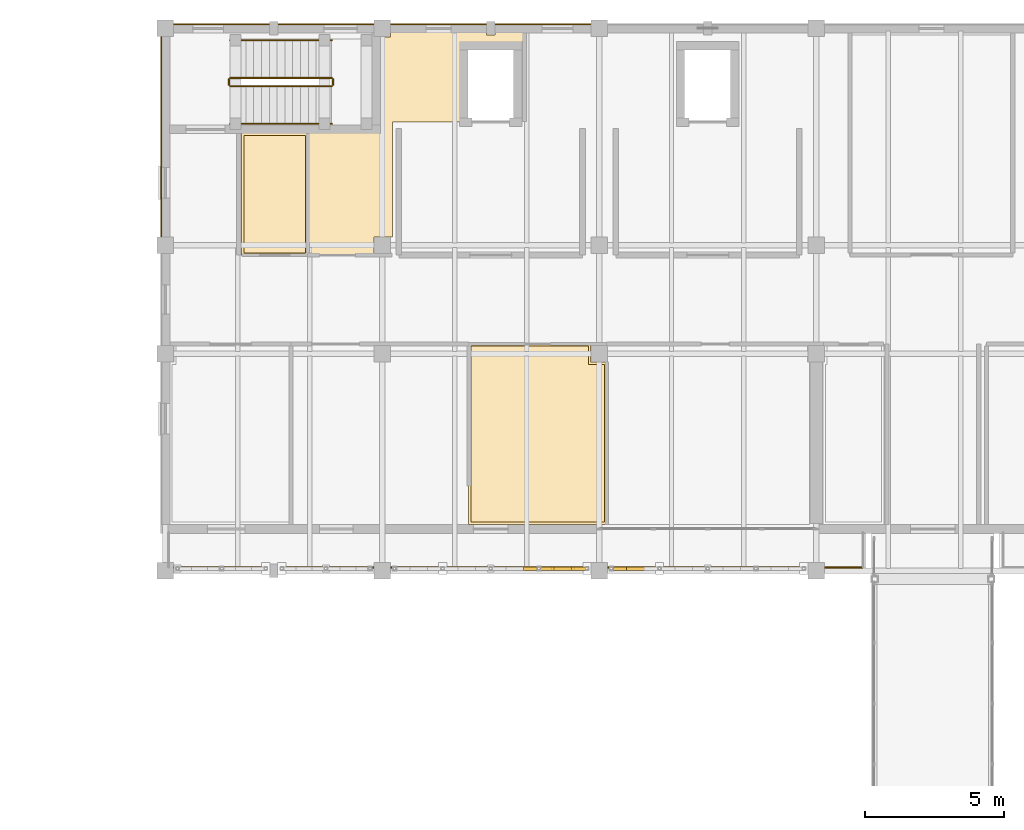
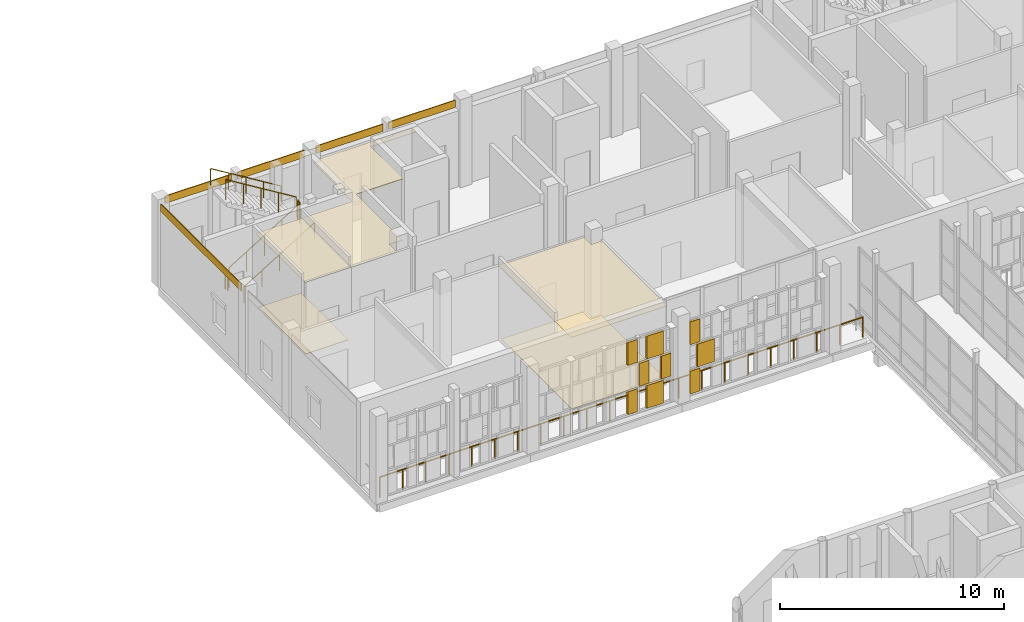
# One storey, part 129 of 138: 19 coverings, 7 railings.
"""IFC4 building model written with IfcOpenShell, lengths in metres."""

from ifc_helpers import new_model, si_unit, direction, frame, origin, origin_2d, place, context, subcontext, project, spatial, polyline, rectangle, circle, outline, extrude, material, layer, layer_set, type_object, element, save


model = new_model("IFC4")

# Units and contexts
model_context = context("Model", 3, precision=1e-05, world=origin(), true_north=direction((0.0, 1.0)))
body_context = subcontext(model_context, "Body", "Model", "MODEL_VIEW")
ifc_project = project(units=[si_unit("LENGTHUNIT", "METRE"), si_unit("AREAUNIT", "SQUARE_METRE"), si_unit("VOLUMEUNIT", "CUBIC_METRE"), si_unit("PLANEANGLEUNIT", "RADIAN"), si_unit("MASSUNIT", "GRAM", prefix="KILO")], contexts=[model_context])

# Site, building, storey
site_placement = place(None, origin())
site = spatial("IfcSite", under=ifc_project, at=site_placement, CompositionType="ELEMENT")
building_placement = place(site_placement, origin())
building = spatial("IfcBuilding", under=site, at=building_placement, Name="Celorna Specialist Clinic", CompositionType="ELEMENT")
storey_placement = place(building_placement, frame((0.0, 0.0, 4.800048828125)))
storey = spatial("IfcBuildingStorey", under=building, at=storey_placement, Name="L01", CompositionType="ELEMENT", Elevation=4.800048828125)

# Railing
ifc_material_1 = material(Name="Stainless steel and laminated glass balustrade", Category="steel")
railing_type_1 = type_object("IfcRailingType", Name="BL-01", PredefinedType="BALUSTRADE", material=ifc_material_1)
railing_1_placement = place(storey_placement, frame((71.8798828125, 96.6201171875, 0.0)))
element("IfcRailing", 1, at=railing_1_placement, inside=storey, type_object=railing_type_1, Name="West Outpatient Cloister Veranda perimeter balustrade 4", PredefinedType="BALUSTRADE", context=body_context, shape_type="SweptSolid", body=[
    extrude(circle(Radius=0.02392578125, at=origin_2d()), frame((0.0, 0.0, 1.09619140625), z_axis=(-1.0, 0.0, 0.0), x_axis=(0.0, -1.0, 0.0)), (0.0, 0.0, 1.0), 24.9599609375),
    extrude(circle(Radius=0.02099609375, at=origin_2d()), origin(), (0.0, 0.0, 1.0), 1.072021484375),
    extrude(circle(Radius=0.02099609375, at=origin_2d()), frame((-1.1884765625, 0.0, 0.0)), (0.0, 0.0, 1.0), 1.072021484375),
    extrude(circle(Radius=0.02099609375, at=origin_2d()), frame((-2.377197265625, 0.0, 0.0)), (0.0, 0.0, 1.0), 1.072021484375),
    extrude(circle(Radius=0.02099609375, at=origin_2d()), frame((-3.565673828125, 0.0, 0.0)), (0.0, 0.0, 1.0), 1.072021484375),
    extrude(circle(Radius=0.02099609375, at=origin_2d()), frame((-4.75439453125, 0.0, 0.0)), (0.0, 0.0, 1.0), 1.072021484375),
    extrude(circle(Radius=0.02099609375, at=origin_2d()), frame((-5.94287109375, 0.0, 0.0)), (0.0, 0.0, 1.0), 1.072021484375),
    extrude(circle(Radius=0.02099609375, at=origin_2d()), frame((-7.13134765625, 0.0, 0.0)), (0.0, 0.0, 1.0), 1.072021484375),
    extrude(circle(Radius=0.02099609375, at=origin_2d()), frame((-8.320068359375, 0.0, 0.0)), (0.0, 0.0, 1.0), 1.072021484375),
    extrude(circle(Radius=0.02099609375, at=origin_2d()), frame((-9.508544921875, 0.0, 0.0)), (0.0, 0.0, 1.0), 1.072021484375),
    extrude(circle(Radius=0.02099609375, at=origin_2d()), frame((-10.697021484375, 0.0, 0.0)), (0.0, 0.0, 1.0), 1.072021484375),
    extrude(circle(Radius=0.02099609375, at=origin_2d()), frame((-11.8857421875, 0.0, 0.0)), (0.0, 0.0, 1.0), 1.072021484375),
    extrude(circle(Radius=0.02099609375, at=origin_2d()), frame((-13.07421875, 0.0, 0.0)), (0.0, 0.0, 1.0), 1.072021484375),
    extrude(circle(Radius=0.02099609375, at=origin_2d()), frame((-14.262939453125, 0.0, 0.0)), (0.0, 0.0, 1.0), 1.072021484375),
    extrude(circle(Radius=0.02099609375, at=origin_2d()), frame((-15.451416015625, 0.0, 0.0)), (0.0, 0.0, 1.0), 1.072021484375),
    extrude(circle(Radius=0.02099609375, at=origin_2d()), frame((-16.639892578125, 0.0, 0.0)), (0.0, 0.0, 1.0), 1.072021484375),
    extrude(circle(Radius=0.02099609375, at=origin_2d()), frame((-17.82861328125, 0.0, 0.0)), (0.0, 0.0, 1.0), 1.072021484375),
    extrude(circle(Radius=0.02099609375, at=origin_2d()), frame((-19.01708984375, 0.0, 0.0)), (0.0, 0.0, 1.0), 1.072021484375),
    extrude(circle(Radius=0.02099609375, at=origin_2d()), frame((-20.20556640625, 0.0, 0.0)), (0.0, 0.0, 1.0), 1.072021484375),
    extrude(circle(Radius=0.02099609375, at=origin_2d()), frame((-21.394287109375, 0.0, 0.0)), (0.0, 0.0, 1.0), 1.072021484375),
    extrude(circle(Radius=0.02099609375, at=origin_2d()), frame((-22.582763671875, 0.0, 0.0)), (0.0, 0.0, 1.0), 1.072021484375),
    extrude(circle(Radius=0.02099609375, at=origin_2d()), frame((-23.771484375, 0.0, 0.0)), (0.0, 0.0, 1.0), 1.072021484375),
    extrude(circle(Radius=0.02099609375, at=origin_2d()), frame((-24.9599609375, 0.0, 0.0)), (0.0, 0.0, 1.0), 1.072021484375),
])

# Coverings
ifc_material_2 = material(Name="Hygienic acoustic mineral-fibre ceiling")
ifc_layer_1 = layer(ifc_material_2, 0.030029296875, Name="Hygienic acoustic mineral-fibre ceiling")
ifc_layer_set_1 = layer_set([ifc_layer_1], Name="Hygienic acoustic mineral-fibre ceiling")
covering_type_1 = type_object("IfcCoveringType", Name="CE-01", PredefinedType="CEILING", material=ifc_layer_set_1)
covering_1_placement = place(storey_placement, frame((0.0, 0.0, 3.989990234375)))
element("IfcCovering", 2, at=covering_1_placement, inside=storey, type_object=covering_type_1, Name="Acoustic ceiling L01-054", PredefinedType="CEILING", context=body_context, shape_type="SweptSolid", body=[
    extrude(outline(polyline([(62.10498046875, 104.6650390625), (62.10498046875, 104.60498046875), (62.094970703125, 104.60498046875), (62.094970703125, 103.9951171875), (62.68505859375, 103.9951171875), (62.68505859375, 98.155029296875), (57.705078125, 98.155029296875), (57.705078125, 104.6650390625), (62.10498046875, 104.6650390625)])), origin(), (0.0, 0.0, 1.0), 0.030029296875),
])
covering_2_placement = place(storey_placement, frame((0.0, 0.0, 3.989990234375)))
element("IfcCovering", 3, at=covering_2_placement, inside=storey, type_object=covering_type_1, Name="Acoustic ceiling L01-074", PredefinedType="CEILING", context=body_context, shape_type="SweptSolid", body=[
    extrude(outline(polyline([(49.544921875, 112.235107421875), (51.93505859375, 112.235107421875), (51.93505859375, 107.8349609375), (49.544921875, 107.8349609375), (49.544921875, 112.235107421875)])), origin(), (0.0, 0.0, 1.0), 0.030029296875),
])
covering_3_placement = place(storey_placement, frame((0.0, 0.0, 3.989990234375)))
element("IfcCovering", 4, at=covering_3_placement, inside=storey, type_object=covering_type_1, Name="Acoustic ceiling L01-075", PredefinedType="CEILING", context=body_context, shape_type="SweptSolid", body=[
    extrude(outline(polyline([(51.905029296875, 107.8349609375), (51.905029296875, 112.235107421875), (54.52490234375, 112.235107421875), (54.52490234375, 115.695068359375), (54.905029296875, 115.695068359375), (54.905029296875, 115.844970703125), (58.344970703125, 115.844970703125), (58.344970703125, 115.7548828125), (58.655029296875, 115.7548828125), (58.655029296875, 115.844970703125), (59.735107421875, 115.844970703125), (59.735107421875, 115.510009765625), (57.389892578125, 115.510009765625), (57.389892578125, 112.635009765625), (54.965087890625, 112.635009765625), (54.965087890625, 108.4951171875), (54.905029296875, 108.4951171875), (54.905029296875, 108.5048828125), (54.294921875, 108.5048828125), (54.294921875, 107.89501953125), (54.304931640625, 107.89501953125), (54.304931640625, 107.8349609375), (51.905029296875, 107.8349609375)])), origin(), (0.0, 0.0, 1.0), 0.030029296875),
])
ifc_material_3 = material(Name="Pero Pinheiro Lioz limestone rainscreen cladding", Category="masonry")
ifc_layer_2 = layer(ifc_material_3, 0.044921875, Name="Pero Pinheiro Lioz limestone rainscreen cladding")
ifc_layer_set_2 = layer_set([ifc_layer_2], Name="Pero Pinheiro Lioz limestone rainscreen cladding")
covering_type_2 = type_object("IfcCoveringType", Name="CL-01", PredefinedType="CLADDING", material=ifc_layer_set_2)
for number, where, z_axis, x_axis, name in (
    (5, (48.824951171875, 116.1474609375, 4.139892578125), (0.0, 0.0, 1.0), (1.0, 0.0, 0.0), "Lioz spandrel cladding #202"),
    (6, (52.574951171875, 116.1474609375, 4.139892578125), (0.0, 0.0, 1.0), (1.0, 0.0, 0.0), "Lioz spandrel cladding #203"),
    (7, (56.625, 116.1474609375, 4.139892578125), (0.0, 0.0, 1.0), (1.0, 0.0, 0.0), "Lioz spandrel cladding #204"),
    (8, (60.375, 116.1474609375, 4.139892578125), (0.0, 0.0, 1.0), (1.0, 0.0, 0.0), "Lioz spandrel cladding #205"),
):
    element("IfcCovering", number, at=place(storey_placement, frame(where, z_axis=z_axis, x_axis=x_axis)), inside=storey, type_object=covering_type_2, Name=name, PredefinedType="CLADDING", context=body_context, shape_type="SweptSolid", body=[
        extrude(rectangle(XDim=3.449951171875, YDim=0.044921875, at=origin_2d()), origin(), (0.0, 0.0, 1.0), 0.39990234375),
    ])
covering_4_placement = place(storey_placement, frame((46.652587890625, 112.10009765625, 4.139892578125), z_axis=(0.0, 0.0, 1.0), x_axis=(0.0, 1.0, 0.0)))
element("IfcCovering", 9, at=covering_4_placement, inside=storey, type_object=covering_type_2, Name="Lioz spandrel cladding #226", PredefinedType="CLADDING", context=body_context, shape_type="SweptSolid", body=[
    extrude(rectangle(XDim=7.199951171875, YDim=0.044921875, at=origin_2d()), origin(), (0.0, 0.0, 1.0), 0.39990234375),
])
ifc_material_4 = material(Name="Perforated terracotta brick weave cladding", Category="masonry")
ifc_layer_3 = layer(ifc_material_4, 0.114990234375, Name="Perforated terracotta brick weave cladding")
ifc_layer_set_3 = layer_set([ifc_layer_3], Name="Perforated terracotta brick weave cladding")
covering_type_3 = type_object("IfcCoveringType", Name="CL-02", PredefinedType="CLADDING", material=ifc_layer_set_3)
for number, where, z_axis, x_axis, name in (
    (10, (59.924560546875, 96.570068359375, 0.10009765625), (0.0, 0.0, 1.0), (1.0, 0.0, 0.0), "Woven perforated terracotta brick course #645"),
    (11, (59.924560546875, 96.570068359375, 2.793212890625), (0.0, 0.0, 1.0), (1.0, 0.0, 0.0), "Woven perforated terracotta brick course #648"),
):
    element("IfcCovering", number, at=place(storey_placement, frame(where, z_axis=z_axis, x_axis=x_axis)), inside=storey, type_object=covering_type_3, Name=name, PredefinedType="CLADDING", context=body_context, shape_type="SweptSolid", body=[
        extrude(rectangle(XDim=0.4912109375, YDim=0.114990234375, at=origin_2d()), origin(), (0.0, 0.0, 1.0), 1.24658203125),
    ])
covering_5_placement = place(storey_placement, frame((61.094970703125, 96.570068359375, 0.10009765625), z_axis=(0.0, 0.0, 1.0), x_axis=(1.0, 0.0, 0.0)))
element("IfcCovering", 12, at=covering_5_placement, inside=storey, type_object=covering_type_3, Name="Woven perforated terracotta brick course #649", PredefinedType="CLADDING", context=body_context, shape_type="SweptSolid", body=[
    extrude(rectangle(XDim=0.869384765625, YDim=0.114990234375, at=origin_2d()), origin(), (0.0, 0.0, 1.0), 1.24658203125),
])
for number, where, z_axis, x_axis, name in (
    (13, (60.53564453125, 96.570068359375, 1.44677734375), (0.0, 0.0, 1.0), (1.0, 0.0, 0.0), "Woven perforated terracotta brick course #650"),
    (14, (61.654296875, 96.570068359375, 1.44677734375), (0.0, 0.0, 1.0), (1.0, 0.0, 0.0), "Woven perforated terracotta brick course #651"),
):
    element("IfcCovering", number, at=place(storey_placement, frame(where, z_axis=z_axis, x_axis=x_axis)), inside=storey, type_object=covering_type_3, Name=name, PredefinedType="CLADDING", context=body_context, shape_type="SweptSolid", body=[
        extrude(rectangle(XDim=0.4912109375, YDim=0.114990234375, at=origin_2d()), origin(), (0.0, 0.0, 1.0), 1.24658203125),
    ])
covering_6_placement = place(storey_placement, frame((61.094970703125, 96.570068359375, 2.793212890625), z_axis=(0.0, 0.0, 1.0), x_axis=(1.0, 0.0, 0.0)))
element("IfcCovering", 15, at=covering_6_placement, inside=storey, type_object=covering_type_3, Name="Woven perforated terracotta brick course #652", PredefinedType="CLADDING", context=body_context, shape_type="SweptSolid", body=[
    extrude(rectangle(XDim=0.869384765625, YDim=0.114990234375, at=origin_2d()), origin(), (0.0, 0.0, 1.0), 1.24658203125),
])
covering_7_placement = place(storey_placement, frame((63.1455078125, 96.570068359375, 0.10009765625), z_axis=(0.0, 0.0, 1.0), x_axis=(1.0, 0.0, 0.0)))
element("IfcCovering", 16, at=covering_7_placement, inside=storey, type_object=covering_type_3, Name="Woven perforated terracotta brick course #653", PredefinedType="CLADDING", context=body_context, shape_type="SweptSolid", body=[
    extrude(rectangle(XDim=0.4912109375, YDim=0.114990234375, at=origin_2d()), origin(), (0.0, 0.0, 1.0), 1.24658203125),
])
covering_8_placement = place(storey_placement, frame((63.705078125, 96.570068359375, 1.44677734375), z_axis=(0.0, 0.0, 1.0), x_axis=(1.0, 0.0, 0.0)))
element("IfcCovering", 17, at=covering_8_placement, inside=storey, type_object=covering_type_3, Name="Woven perforated terracotta brick course #655", PredefinedType="CLADDING", context=body_context, shape_type="SweptSolid", body=[
    extrude(rectangle(XDim=0.869384765625, YDim=0.114990234375, at=origin_2d()), origin(), (0.0, 0.0, 1.0), 1.24658203125),
])
covering_9_placement = place(storey_placement, frame((63.1455078125, 96.570068359375, 2.793212890625), z_axis=(0.0, 0.0, 1.0), x_axis=(1.0, 0.0, 0.0)))
element("IfcCovering", 18, at=covering_9_placement, inside=storey, type_object=covering_type_3, Name="Woven perforated terracotta brick course #656", PredefinedType="CLADDING", context=body_context, shape_type="SweptSolid", body=[
    extrude(rectangle(XDim=0.4912109375, YDim=0.114990234375, at=origin_2d()), origin(), (0.0, 0.0, 1.0), 1.24658203125),
])
ifc_material_5 = material(Name="Seamless antimicrobial clinical vinyl and Lioz terrazzo flooring")
ifc_layer_4 = layer(ifc_material_5, 0.02001953125, Name="Seamless antimicrobial clinical vinyl and Lioz terrazzo flooring")
ifc_layer_set_4 = layer_set([ifc_layer_4], Name="Seamless antimicrobial clinical vinyl and Lioz terrazzo flooring")
covering_type_4 = type_object("IfcCoveringType", Name="FL-01", PredefinedType="FLOORING", material=ifc_layer_set_4)
covering_10_placement = place(storey_placement, origin())
element("IfcCovering", 19, at=covering_10_placement, inside=storey, type_object=covering_type_4, Name="Antimicrobial clinical flooring L01-054", PredefinedType="FLOORING", context=body_context, shape_type="SweptSolid", body=[
    extrude(outline(polyline([(57.794921875, 104.574951171875), (62.014892578125, 104.574951171875), (62.014892578125, 103.9150390625), (62.594970703125, 103.9150390625), (62.594970703125, 98.2451171875), (57.794921875, 98.2451171875), (57.794921875, 104.574951171875)])), origin(), (0.0, 0.0, 1.0), 0.02001953125),
])
covering_11_placement = place(storey_placement, origin())
element("IfcCovering", 20, at=covering_11_placement, inside=storey, type_object=covering_type_4, Name="Antimicrobial clinical flooring L01-074", PredefinedType="FLOORING", context=body_context, shape_type="SweptSolid", body=[
    extrude(outline(polyline([(49.635009765625, 107.925048828125), (49.635009765625, 112.14501953125), (51.844970703125, 112.14501953125), (51.844970703125, 107.925048828125), (49.635009765625, 107.925048828125)])), origin(), (0.0, 0.0, 1.0), 0.02001953125),
])

# Railings
ifc_material_6 = material(Name="Powder-coated steel S355", Category="steel")
railing_type_2 = type_object("IfcRailingType", Name="GR-01", PredefinedType="GUARDRAIL", material=ifc_material_6)
railing_2_placement = place(storey_placement, frame((49.139892578125, 113.919921875, 0.17138671875)))
element("IfcRailing", 21, at=railing_2_placement, inside=storey, type_object=railing_type_2, Name="L01 ST-01 stair guard 1", PredefinedType="GUARDRAIL", context=body_context, shape_type="SweptSolid", body=[
    extrude(circle(Radius=0.02392578125, at=origin_2d()), frame((0.0, 0.0, 1.09619140625), z_axis=(0.852865859571, 0.0, 0.52213008492), x_axis=(0.0, 1.0, 0.0)), (0.0, 0.0, 1.0), 4.26806640625),
    extrude(circle(Radius=0.02099609375, at=origin_2d()), origin(), (0.0, 0.0, 1.0), 1.072021484375),
    extrude(circle(Radius=0.02099609375, at=origin_2d()), frame((0.91015625, 0.0, 0.55712890625)), (0.0, 0.0, 1.0), 1.072021484375),
    extrude(circle(Radius=0.02099609375, at=origin_2d()), frame((1.820068359375, 0.0, 1.1142578125)), (0.0, 0.0, 1.0), 1.072021484375),
    extrude(circle(Radius=0.02099609375, at=origin_2d()), frame((2.72998046875, 0.0, 1.67138671875)), (0.0, 0.0, 1.0), 1.072021484375),
    extrude(circle(Radius=0.02099609375, at=origin_2d()), frame((3.64013671875, 0.0, 2.228515625)), (0.0, 0.0, 1.0), 1.072021484375),
])
railing_3_placement = place(storey_placement, frame((52.830078125, 113.969970703125, 2.39990234375)))
element("IfcRailing", 22, at=railing_3_placement, inside=storey, type_object=railing_type_2, Name="L01 ST-01 stair guard 2", PredefinedType="GUARDRAIL", context=body_context, shape_type="SweptSolid", body=[
    extrude(circle(Radius=0.02392578125, at=origin_2d()), frame((0.0, 0.0, 1.09619140625), z_axis=(0.0, 1.0, 0.0), x_axis=(-1.0, 0.0, 0.0)), (0.0, 0.0, 1.0), 0.199951171875),
    extrude(circle(Radius=0.02099609375, at=origin_2d()), origin(), (0.0, 0.0, 1.0), 1.072021484375),
    extrude(circle(Radius=0.02099609375, at=origin_2d()), frame((0.0, 0.199951171875, 0.0)), (0.0, 0.0, 1.0), 1.072021484375),
])
railing_4_placement = place(storey_placement, frame((52.780029296875, 114.219970703125, 2.5712890625)))
element("IfcRailing", 23, at=railing_4_placement, inside=storey, type_object=railing_type_2, Name="L01 ST-01 stair guard 3", PredefinedType="GUARDRAIL", context=body_context, shape_type="SweptSolid", body=[
    extrude(circle(Radius=0.02392578125, at=origin_2d()), frame((0.0, 0.0, 1.09619140625), z_axis=(-0.852840387347, 0.0, 0.522171689878), x_axis=(0.0, -1.0, 0.0)), (0.0, 0.0, 1.0), 4.268310546875),
    extrude(circle(Radius=0.02099609375, at=origin_2d()), origin(), (0.0, 0.0, 1.0), 1.072021484375),
    extrude(circle(Radius=0.02099609375, at=origin_2d()), frame((-0.91015625, 0.0, 0.55712890625)), (0.0, 0.0, 1.0), 1.072021484375),
    extrude(circle(Radius=0.02099609375, at=origin_2d()), frame((-1.820068359375, 0.0, 1.1142578125)), (0.0, 0.0, 1.0), 1.072021484375),
    extrude(circle(Radius=0.02099609375, at=origin_2d()), frame((-2.72998046875, 0.0, 1.671630859375)), (0.0, 0.0, 1.0), 1.072021484375),
    extrude(circle(Radius=0.02099609375, at=origin_2d()), frame((-3.64013671875, 0.0, 2.228759765625)), (0.0, 0.0, 1.0), 1.072021484375),
])
railing_5_placement = place(storey_placement, frame((49.090087890625, 113.969970703125, 0.0)))
element("IfcRailing", 24, at=railing_5_placement, inside=storey, type_object=railing_type_2, Name="L01 ST-01 stair guard 4", PredefinedType="GUARDRAIL", context=body_context, shape_type="SweptSolid", body=[
    extrude(circle(Radius=0.02392578125, at=origin_2d()), frame((0.0, 0.0, 1.09619140625), z_axis=(0.0, 1.0, 0.0), x_axis=(-1.0, 0.0, 0.0)), (0.0, 0.0, 1.0), 0.199951171875),
    extrude(circle(Radius=0.02099609375, at=origin_2d()), origin(), (0.0, 0.0, 1.0), 1.072021484375),
    extrude(circle(Radius=0.02099609375, at=origin_2d()), frame((0.0, 0.199951171875, 0.0)), (0.0, 0.0, 1.0), 1.072021484375),
])
ifc_material_7 = material(Name="Brushed stainless steel handrail", Category="steel")
railing_type_3 = type_object("IfcRailingType", Name="HR-01", PredefinedType="HANDRAIL", material=ifc_material_7)
railing_6_placement = place(storey_placement, frame((49.139892578125, 112.570068359375, 0.17138671875)))
element("IfcRailing", 25, at=railing_6_placement, inside=storey, type_object=railing_type_3, Name="L01 ST-01 stair handrail 1", PredefinedType="HANDRAIL", context=body_context, shape_type="SweptSolid", body=[
    extrude(circle(Radius=0.02392578125, at=origin_2d()), frame((0.0, 0.0, 0.8759765625), z_axis=(0.852865859571, 0.0, 0.52213008492), x_axis=(0.0, 1.0, 0.0)), (0.0, 0.0, 1.0), 4.26806640625),
    extrude(circle(Radius=0.02099609375, at=origin_2d()), origin(), (0.0, 0.0, 1.0), 0.851806640625),
    extrude(circle(Radius=0.02099609375, at=origin_2d()), frame((0.91015625, 0.0, 0.55712890625)), (0.0, 0.0, 1.0), 0.851806640625),
    extrude(circle(Radius=0.02099609375, at=origin_2d()), frame((1.820068359375, 0.0, 1.1142578125)), (0.0, 0.0, 1.0), 0.851806640625),
    extrude(circle(Radius=0.02099609375, at=origin_2d()), frame((2.72998046875, 0.0, 1.67138671875)), (0.0, 0.0, 1.0), 0.851806640625),
    extrude(circle(Radius=0.02099609375, at=origin_2d()), frame((3.64013671875, 0.0, 2.228515625)), (0.0, 0.0, 1.0), 0.851806640625),
])
railing_7_placement = place(storey_placement, frame((52.780029296875, 115.570068359375, 2.5712890625)))
element("IfcRailing", 26, at=railing_7_placement, inside=storey, type_object=railing_type_3, Name="L01 ST-01 stair handrail 2", PredefinedType="HANDRAIL", context=body_context, shape_type="SweptSolid", body=[
    extrude(circle(Radius=0.02392578125, at=origin_2d()), frame((0.0, 0.0, 0.8759765625), z_axis=(-0.852840387347, 0.0, 0.522171689878), x_axis=(0.0, -1.0, 0.0)), (0.0, 0.0, 1.0), 4.268310546875),
    extrude(circle(Radius=0.02099609375, at=origin_2d()), origin(), (0.0, 0.0, 1.0), 0.851806640625),
    extrude(circle(Radius=0.02099609375, at=origin_2d()), frame((-0.91015625, 0.0, 0.55712890625)), (0.0, 0.0, 1.0), 0.851806640625),
    extrude(circle(Radius=0.02099609375, at=origin_2d()), frame((-1.820068359375, 0.0, 1.1142578125)), (0.0, 0.0, 1.0), 0.851806640625),
    extrude(circle(Radius=0.02099609375, at=origin_2d()), frame((-2.72998046875, 0.0, 1.671630859375)), (0.0, 0.0, 1.0), 0.851806640625),
    extrude(circle(Radius=0.02099609375, at=origin_2d()), frame((-3.64013671875, 0.0, 2.228759765625)), (0.0, 0.0, 1.0), 0.851806640625),
])

save(model, "model.ifc")
